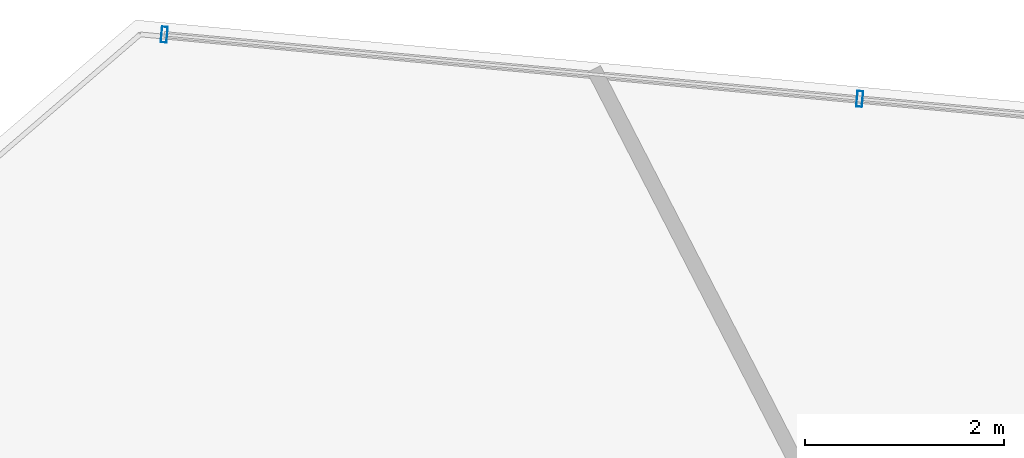
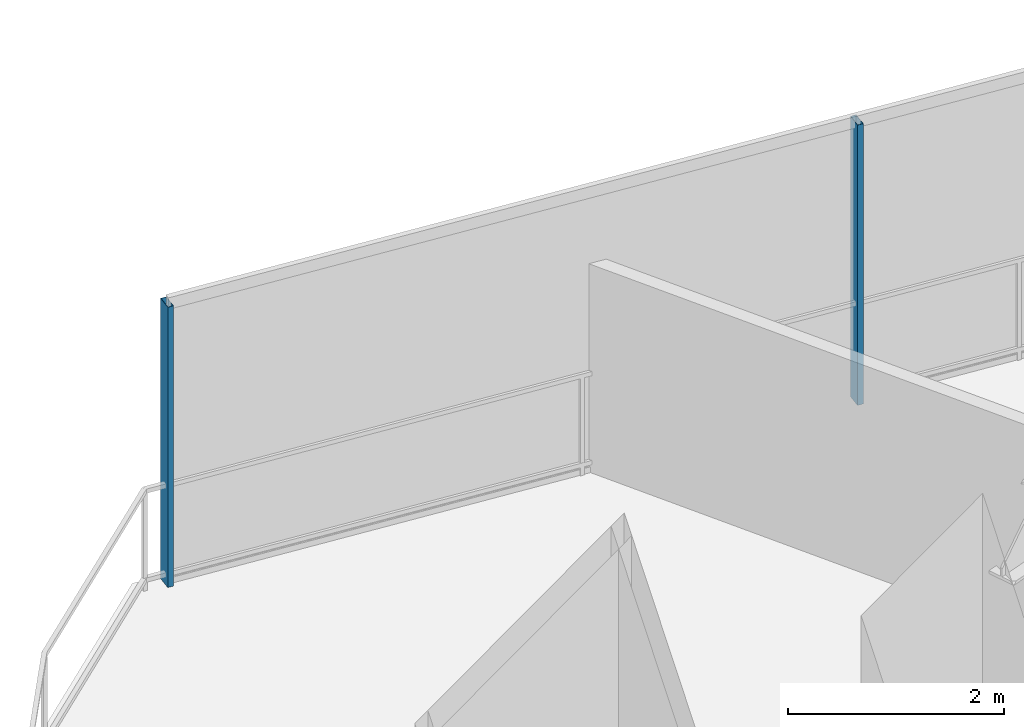
# One storey, part 18 of 30: 2 members, 1 element without a shape of its own.
"""IFC4 building model written with IfcOpenShell, lengths in metres."""

from ifc_helpers import new_model, si_unit, direction, frame, origin, origin_2d, place, context, subcontext, project, spatial, hollow_rectangle, extrude, material, layer, layer_set, material_profile, profile_set, type_object, element, aggregate, save


model = new_model("IFC4")

# Units and contexts
model_context = context("Model", 3, precision=1e-05, world=origin(), true_north=direction((0.0, 1.0)))
body_context = subcontext(model_context, "Body", "Model", "MODEL_VIEW")
ifc_project = project(units=[si_unit("LENGTHUNIT", "METRE"), si_unit("AREAUNIT", "SQUARE_METRE"), si_unit("VOLUMEUNIT", "CUBIC_METRE"), si_unit("PLANEANGLEUNIT", "RADIAN"), si_unit("MASSUNIT", "GRAM", prefix="KILO")], contexts=[model_context])

# Site, building, storey
site_placement = place(None, origin())
site = spatial("IfcSite", under=ifc_project, at=site_placement, CompositionType="ELEMENT")
building_placement = place(site_placement, origin())
building = spatial("IfcBuilding", under=site, at=building_placement, Name="Qarnah Convention Tower", CompositionType="ELEMENT")
storey_placement = place(building_placement, frame((0.0, 0.0, 47.699951171875)))
storey = spatial("IfcBuildingStorey", under=building, at=storey_placement, Name="L11", CompositionType="ELEMENT", Elevation=47.699951171875)

# Curtain wall, members
ifc_material_1 = material(Name="Tempered Low-E dark glass", Category="glass")
ifc_layer = layer(ifc_material_1, 0.16796875)
ifc_layer_set = layer_set([ifc_layer], Name="Tempered Low-E dark glass")
curtain_wall_type = type_object("IfcCurtainWallType", Name="CWS-01", PredefinedType="NOTDEFINED", material=ifc_layer_set)
curtain_wall_placement = place(storey_placement, origin())
curtain_wall = element("IfcCurtainWall", 1, at=curtain_wall_placement, inside=storey, type_object=curtain_wall_type, Name="L11 unitised curtain wall CW-L11-F2", PredefinedType="NOTDEFINED")
ifc_material_2 = material(Name="Black anodised aluminium", Category="aluminium")
ifc_material_profile = material_profile(ifc_material_2, hollow_rectangle(XDim=0.06005859375, YDim=0.159912109375, WallThickness=0.00390625, at=origin_2d()), Name="MUL-60X160")
ifc_profile_set = profile_set([ifc_material_profile], Name="Black anodised aluminium")
member_type = type_object("IfcMemberType", Name="MUL-T1", PredefinedType="MULLION", material=ifc_profile_set)
member_1_placement = place(storey_placement, frame((22.589111328125, 46.4169921875, 0.0), z_axis=(0.0, 0.0, 1.0), x_axis=(0.995755501183, -0.092037937091, 0.0)))
member_1 = element("IfcMember", 2, at=member_1_placement, type_object=member_type, Name="CW-L11-F2 mullion 1", PredefinedType="MULLION", context=body_context, shape_type="SweptSolid", body=[
    extrude(hollow_rectangle(XDim=0.06005859375, YDim=0.159912109375, WallThickness=0.00390625, at=origin_2d()), origin(), (0.0, 0.0, 1.0), 3.170166015625),
])
member_2_placement = place(storey_placement, frame((29.59326171875, 45.76953125, 0.0), z_axis=(0.0, 0.0, 1.0), x_axis=(0.995755501183, -0.092037937091, 0.0)))
member_2 = element("IfcMember", 3, at=member_2_placement, type_object=member_type, Name="CW-L11-F2 mullion 2", PredefinedType="MULLION", context=body_context, shape_type="SweptSolid", body=[
    extrude(hollow_rectangle(XDim=0.06005859375, YDim=0.159912109375, WallThickness=0.00390625, at=origin_2d()), origin(), (0.0, 0.0, 1.0), 3.170166015625),
])
aggregate(curtain_wall, [member_1, member_2])

save(model, "model.ifc")
